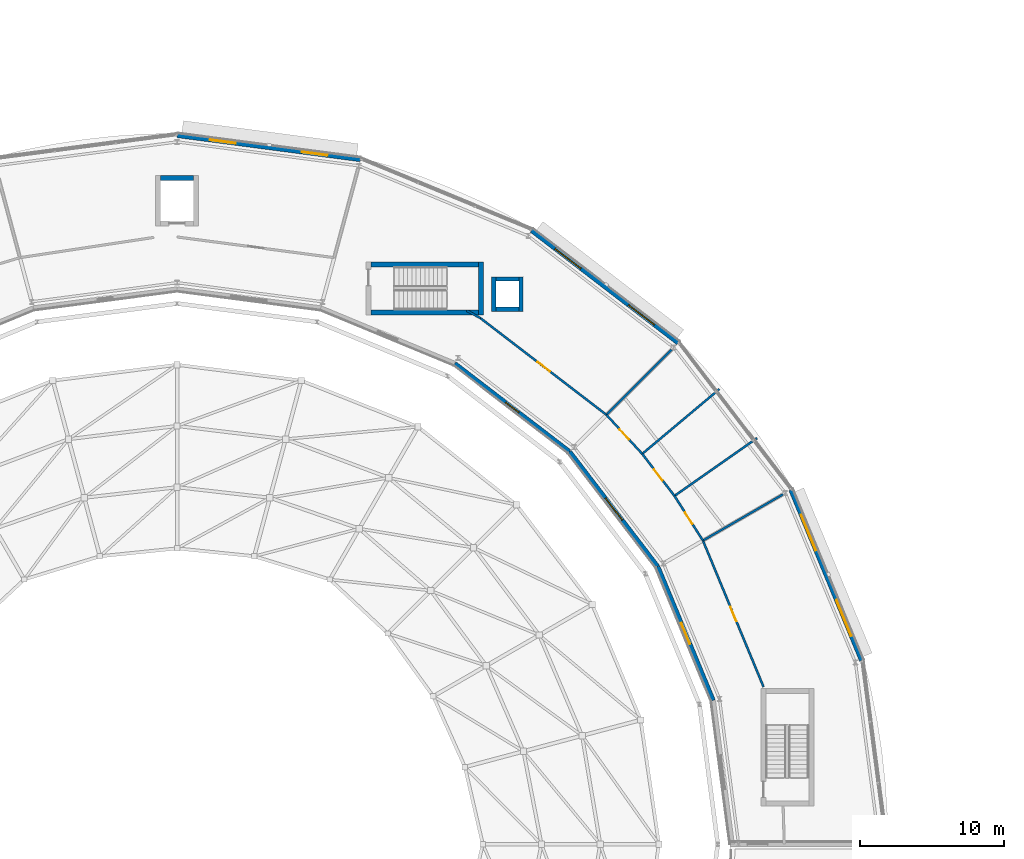
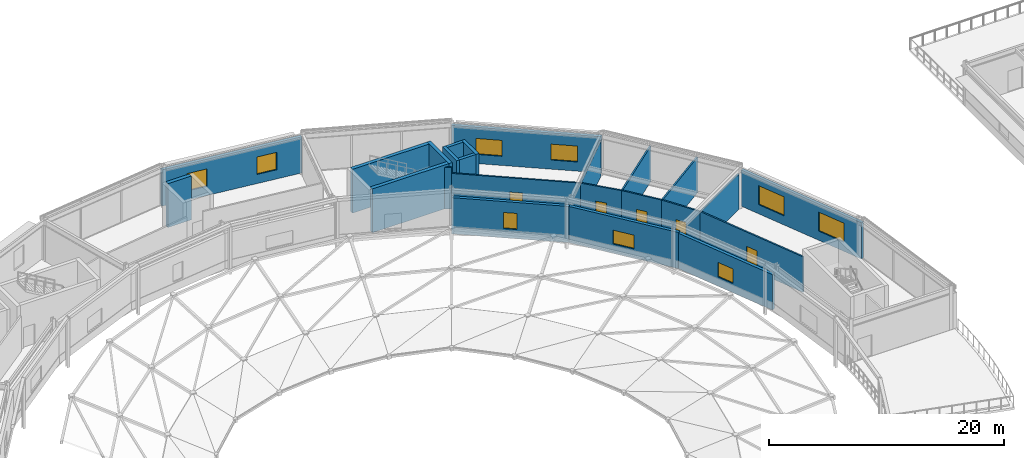
# One storey, part 65 of 89: 24 walls, 9 windows, 5 doors, 14 openings.
"""IFC4 building model written with IfcOpenShell, lengths in metres."""

from ifc_helpers import new_model, si_unit, direction, frame, frame_2d, origin, place, context, subcontext, project, spatial, rectangle, extrude, material, layer, layer_set, type_object, element, fill, save


model = new_model("IFC4")

# Units and contexts
model_context = context("Model", 3, precision=1e-05, world=origin(), true_north=direction((0.0, 1.0)))
body_context = subcontext(model_context, "Body", "Model", "MODEL_VIEW")
ifc_project = project(units=[si_unit("LENGTHUNIT", "METRE"), si_unit("AREAUNIT", "SQUARE_METRE"), si_unit("VOLUMEUNIT", "CUBIC_METRE"), si_unit("PLANEANGLEUNIT", "RADIAN"), si_unit("MASSUNIT", "GRAM", prefix="KILO")], contexts=[model_context])

# Site, building, storey
site_placement = place(None, origin())
site = spatial("IfcSite", under=ifc_project, at=site_placement, CompositionType="ELEMENT")
building_placement = place(site_placement, origin())
building = spatial("IfcBuilding", under=site, at=building_placement, Name="Almandine Court Research Institute", CompositionType="ELEMENT")
storey_placement = place(building_placement, frame((0.0, 0.0, 18.89990234375)))
storey = spatial("IfcBuildingStorey", under=building, at=storey_placement, Name="L04", CompositionType="ELEMENT", Elevation=18.89990234375)

# Wall, openings, windows
ifc_material_1 = material(Name="Insulated Ochre Terracotta Rainscreen Wall", Category="masonry")
ifc_layer_1 = layer(ifc_material_1, 0.2900390625)
ifc_layer_set_1 = layer_set([ifc_layer_1], Name="Insulated Ochre Terracotta Rainscreen Wall")
wall_type_1 = type_object("IfcWallType", Name="Wall-EXT-TERR-290", PredefinedType="SOLIDWALL", material=ifc_layer_set_1)
wall_1_placement = place(storey_placement, frame((129.73193359375, 80.6650390625, 0.0), z_axis=(0.0, 0.0, 1.0), x_axis=(0.382709793584, -0.923868612896, 0.0)))
wall_1 = element("IfcWall", 1, at=wall_1_placement, inside=storey, type_object=wall_type_1, Name="L04 Drum Outer Facade Wall 01", PredefinedType="SOLIDWALL", context=body_context, shape_type="SweptSolid", body=[
    extrude(rectangle(XDim=12.868896484375, YDim=0.2900390625, at=frame_2d((6.4345703125, 0.0))), origin(), (0.0, 0.0, 1.0), 3.754150390625),
])
opening_1_placement = place(wall_1_placement, frame((1.866943359375, 0.0, 0.949951171875)))
opening_1 = element("IfcOpeningElement", 2, at=opening_1_placement, cuts=wall_1, Name="Opening WN-54", PredefinedType="OPENING", context=body_context, shape_type="SweptSolid", body=[
    extrude(rectangle(XDim=2.699951171875, YDim=1.969970703125, at=frame_2d((1.35009765625, 0.98486328125))), frame((0.0, 0.155029296875, 0.0), z_axis=(0.0, -1.0, 0.0), x_axis=(1.0, 0.0, 0.0)), (0.0, 0.0, 1.0), 0.31005859375),
])
opening_2_placement = place(wall_1_placement, frame((8.302001953125, 0.0, 0.949951171875)))
opening_2 = element("IfcOpeningElement", 3, at=opening_2_placement, cuts=wall_1, Name="Opening WN-54", PredefinedType="OPENING", context=body_context, shape_type="SweptSolid", body=[
    extrude(rectangle(XDim=2.699951171875, YDim=1.969970703125, at=frame_2d((1.35009765625, 0.98486328125))), frame((0.0, 0.155029296875, 0.0), z_axis=(0.0, -1.0, 0.0), x_axis=(1.0, 0.0, 0.0)), (0.0, 0.0, 1.0), 0.31005859375),
])
ifc_material_2 = material(Name="Thermally Broken Low-E Double-Glazed Window", Category="glass")
window_type_1 = type_object("IfcWindowType", Name="Win-WN-54-2700x1970", PartitioningType="SINGLE_PANEL", PredefinedType="WINDOW", material=ifc_material_2)
window_1_placement = place(opening_1_placement, origin())
window_1 = element("IfcWindow", 4, at=window_1_placement, inside=storey, type_object=window_type_1, Name="L04 Modular Recessed Low-E Window 291", OverallHeight=1.969970703125, OverallWidth=2.699951171875, PartitioningType="SINGLE_PANEL", PredefinedType="WINDOW", context=body_context, shape_type="SweptSolid", body=[
    extrude(rectangle(XDim=2.699951171875, YDim=1.969970703125, at=frame_2d((1.35009765625, 0.98486328125))), frame((0.0, 0.030029296875, 0.0), z_axis=(0.0, -1.0, 0.0), x_axis=(1.0, 0.0, 0.0)), (0.0, 0.0, 1.0), 0.06005859375),
])
fill(opening_1, window_1)
window_2_placement = place(opening_2_placement, origin())
window_2 = element("IfcWindow", 5, at=window_2_placement, inside=storey, type_object=window_type_1, Name="L04 Modular Recessed Low-E Window 292", OverallHeight=1.969970703125, OverallWidth=2.699951171875, PartitioningType="SINGLE_PANEL", PredefinedType="WINDOW", context=body_context, shape_type="SweptSolid", body=[
    extrude(rectangle(XDim=2.699951171875, YDim=1.969970703125, at=frame_2d((1.35009765625, 0.98486328125))), frame((0.0, 0.030029296875, 0.0), z_axis=(0.0, -1.0, 0.0), x_axis=(1.0, 0.0, 0.0)), (0.0, 0.0, 1.0), 0.06005859375),
])
fill(opening_2, window_2)

# Wall, opening, window
wall_2_placement = place(storey_placement, frame((124.341064453125, 66.011962890625, 0.0), z_axis=(0.0, 0.0, 1.0), x_axis=(-0.382733240508, 0.92385889973, 0.0)))
wall_2 = element("IfcWall", 6, at=wall_2_placement, inside=storey, type_object=wall_type_1, Name="L04 Drum Inner Gallery Wall 01", PredefinedType="SOLIDWALL", context=body_context, shape_type="SweptSolid", body=[
    extrude(rectangle(XDim=10.08056640625, YDim=0.2900390625, at=frame_2d((5.040283203125, 0.0))), origin(), (0.0, 0.0, 1.0), 3.672119140625),
])
opening_3_placement = place(wall_2_placement, frame((4.239990234375, 0.0, 0.949951171875)))
opening_3 = element("IfcOpeningElement", 7, at=opening_3_placement, cuts=wall_2, Name="Opening WN-117", PredefinedType="OPENING", context=body_context, shape_type="SweptSolid", body=[
    extrude(rectangle(XDim=1.60009765625, YDim=1.510009765625, at=frame_2d((0.800048828125, 0.7548828125))), frame((0.0, 0.155029296875, 0.0), z_axis=(0.0, -1.0, 0.0), x_axis=(1.0, 0.0, 0.0)), (0.0, 0.0, 1.0), 0.31005859375),
])
window_type_2 = type_object("IfcWindowType", Name="Win-WN-117-1600x1510", PartitioningType="SINGLE_PANEL", PredefinedType="WINDOW", material=ifc_material_2)
window_3_placement = place(opening_3_placement, origin())
window_3 = element("IfcWindow", 8, at=window_3_placement, inside=storey, type_object=window_type_2, Name="L04 Modular Recessed Low-E Window 293", OverallHeight=1.510009765625, OverallWidth=1.60009765625, PartitioningType="SINGLE_PANEL", PredefinedType="WINDOW", context=body_context, shape_type="SweptSolid", body=[
    extrude(rectangle(XDim=1.60009765625, YDim=1.510009765625, at=frame_2d((0.800048828125, 0.7548828125))), frame((0.0, 0.030029296875, 0.0), z_axis=(0.0, -1.0, 0.0), x_axis=(1.0, 0.0, 0.0)), (0.0, 0.0, 1.0), 0.06005859375),
])
fill(opening_3, window_3)

wall_3_placement = place(storey_placement, frame((120.47705078125, 75.3349609375, 0.0), z_axis=(0.0, 0.0, 1.0), x_axis=(-0.608737604027, 0.793371621275, 0.0)))
wall_3 = element("IfcWall", 9, at=wall_3_placement, inside=storey, type_object=wall_type_1, Name="L04 Drum Inner Gallery Wall 02", PredefinedType="SOLIDWALL", context=body_context, shape_type="SweptSolid", body=[
    extrude(rectangle(XDim=10.079833984375, YDim=0.2900390625, at=frame_2d((5.0400390625, 0.0))), origin(), (0.0, 0.0, 1.0), 3.754150390625),
])
opening_4_placement = place(wall_3_placement, frame((4.074951171875, 0.0, 0.949951171875)))
opening_4 = element("IfcOpeningElement", 10, at=opening_4_placement, cuts=wall_3, Name="Opening WN-118", PredefinedType="OPENING", context=body_context, shape_type="SweptSolid", body=[
    extrude(rectangle(XDim=1.929931640625, YDim=1.429931640625, at=frame_2d((0.96484375, 0.71484375))), frame((0.0, 0.155029296875, 0.0), z_axis=(0.0, -1.0, 0.0), x_axis=(1.0, 0.0, 0.0)), (0.0, 0.0, 1.0), 0.31005859375),
])
window_type_3 = type_object("IfcWindowType", Name="Win-WN-118-1930x1430", PartitioningType="SINGLE_PANEL", PredefinedType="WINDOW", material=ifc_material_2)
window_4_placement = place(opening_4_placement, origin())
window_4 = element("IfcWindow", 11, at=window_4_placement, inside=storey, type_object=window_type_3, Name="L04 Modular Recessed Low-E Window 294", OverallHeight=1.429931640625, OverallWidth=1.929931640625, PartitioningType="SINGLE_PANEL", PredefinedType="WINDOW", context=body_context, shape_type="SweptSolid", body=[
    extrude(rectangle(XDim=1.929931640625, YDim=1.429931640625, at=frame_2d((0.96484375, 0.71484375))), frame((0.0, 0.030029296875, 0.0), z_axis=(0.0, -1.0, 0.0), x_axis=(1.0, 0.0, 0.0)), (0.0, 0.0, 1.0), 0.06005859375),
])
fill(opening_4, window_4)

# Wall, openings, windows
wall_4_placement = place(storey_placement, frame((111.675048828125, 98.72607421875, 0.0), z_axis=(0.0, 0.0, 1.0), x_axis=(0.79334001117, -0.608778799465, 0.0)))
wall_4 = element("IfcWall", 12, at=wall_4_placement, inside=storey, type_object=wall_type_1, Name="L04 Drum Outer Facade Wall 03", PredefinedType="SOLIDWALL", context=body_context, shape_type="SweptSolid", body=[
    extrude(rectangle(XDim=12.868408203125, YDim=0.2900390625, at=frame_2d((6.43408203125, 0.0))), origin(), (0.0, 0.0, 1.0), 3.754150390625),
])
opening_5_placement = place(wall_4_placement, frame((2.0869140625, 0.0, 0.949951171875)))
opening_5 = element("IfcOpeningElement", 13, at=opening_5_placement, cuts=wall_4, Name="Opening WN-58", PredefinedType="OPENING", context=body_context, shape_type="SweptSolid", body=[
    extrude(rectangle(XDim=2.260009765625, YDim=1.64990234375, at=frame_2d((1.1298828125, 0.824951171875))), frame((0.0, 0.155029296875, 0.0), z_axis=(0.0, -1.0, 0.0), x_axis=(1.0, 0.0, 0.0)), (0.0, 0.0, 1.0), 0.31005859375),
])
opening_6_placement = place(wall_4_placement, frame((8.52099609375, 0.0, 0.949951171875)))
opening_6 = element("IfcOpeningElement", 14, at=opening_6_placement, cuts=wall_4, Name="Opening WN-58", PredefinedType="OPENING", context=body_context, shape_type="SweptSolid", body=[
    extrude(rectangle(XDim=2.260009765625, YDim=1.64990234375, at=frame_2d((1.1298828125, 0.824951171875))), frame((0.0, 0.155029296875, 0.0), z_axis=(0.0, -1.0, 0.0), x_axis=(1.0, 0.0, 0.0)), (0.0, 0.0, 1.0), 0.31005859375),
])
window_type_4 = type_object("IfcWindowType", Name="Win-WN-58-2260x1650", PartitioningType="SINGLE_PANEL", PredefinedType="WINDOW", material=ifc_material_2)
window_5_placement = place(opening_5_placement, origin())
window_5 = element("IfcWindow", 15, at=window_5_placement, inside=storey, type_object=window_type_4, Name="L04 Modular Recessed Low-E Window 295", OverallHeight=1.64990234375, OverallWidth=2.260009765625, PartitioningType="SINGLE_PANEL", PredefinedType="WINDOW", context=body_context, shape_type="SweptSolid", body=[
    extrude(rectangle(XDim=2.260009765625, YDim=1.64990234375, at=frame_2d((1.1298828125, 0.824951171875))), frame((0.0, 0.030029296875, 0.0), z_axis=(0.0, -1.0, 0.0), x_axis=(1.0, 0.0, 0.0)), (0.0, 0.0, 1.0), 0.06005859375),
])
fill(opening_5, window_5)
window_6_placement = place(opening_6_placement, origin())
window_6 = element("IfcWindow", 16, at=window_6_placement, inside=storey, type_object=window_type_4, Name="L04 Modular Recessed Low-E Window 296", OverallHeight=1.64990234375, OverallWidth=2.260009765625, PartitioningType="SINGLE_PANEL", PredefinedType="WINDOW", context=body_context, shape_type="SweptSolid", body=[
    extrude(rectangle(XDim=2.260009765625, YDim=1.64990234375, at=frame_2d((1.1298828125, 0.824951171875))), frame((0.0, 0.030029296875, 0.0), z_axis=(0.0, -1.0, 0.0), x_axis=(1.0, 0.0, 0.0)), (0.0, 0.0, 1.0), 0.06005859375),
])
fill(opening_6, window_6)

# Wall, opening, window
wall_5_placement = place(storey_placement, frame((114.33203125, 83.341064453125, 0.0), z_axis=(0.0, 0.0, 1.0), x_axis=(-0.793371621275, 0.608737604027, 0.0)))
wall_5 = element("IfcWall", 17, at=wall_5_placement, inside=storey, type_object=wall_type_1, Name="L04 Drum Inner Gallery Wall 03", PredefinedType="SOLIDWALL", context=body_context, shape_type="SweptSolid", body=[
    extrude(rectangle(XDim=10.079833984375, YDim=0.2900390625, at=frame_2d((5.0400390625, 0.0))), origin(), (0.0, 0.0, 1.0), 3.754150390625),
])
opening_7_placement = place(wall_5_placement, frame((4.4599609375, 0.0, 0.949951171875)))
opening_7 = element("IfcOpeningElement", 18, at=opening_7_placement, cuts=wall_5, Name="Opening WN-107", PredefinedType="OPENING", context=body_context, shape_type="SweptSolid", body=[
    extrude(rectangle(XDim=1.159912109375, YDim=1.669921875, at=frame_2d((0.580078125, 0.8349609375))), frame((0.0, 0.155029296875, 0.0), z_axis=(0.0, -1.0, 0.0), x_axis=(1.0, 0.0, 0.0)), (0.0, 0.0, 1.0), 0.31005859375),
])
window_type_5 = type_object("IfcWindowType", Name="Win-WN-107-1160x1670", PartitioningType="SINGLE_PANEL", PredefinedType="WINDOW", material=ifc_material_2)
window_7_placement = place(opening_7_placement, origin())
window_7 = element("IfcWindow", 19, at=window_7_placement, inside=storey, type_object=window_type_5, Name="L04 Modular Recessed Low-E Window 297", OverallHeight=1.669921875, OverallWidth=1.159912109375, PartitioningType="SINGLE_PANEL", PredefinedType="WINDOW", context=body_context, shape_type="SweptSolid", body=[
    extrude(rectangle(XDim=1.159912109375, YDim=1.669921875, at=frame_2d((0.580078125, 0.8349609375))), frame((0.0, 0.030029296875, 0.0), z_axis=(0.0, -1.0, 0.0), x_axis=(1.0, 0.0, 0.0)), (0.0, 0.0, 1.0), 0.06005859375),
])
fill(opening_7, window_7)

# Wall, openings, windows
wall_6_placement = place(storey_placement, frame((87.006103515625, 105.339111328125, 0.0), z_axis=(0.0, 0.0, 1.0), x_axis=(0.991448870161, -0.130495738843, 0.0)))
wall_6 = element("IfcWall", 20, at=wall_6_placement, inside=storey, type_object=wall_type_1, Name="L04 Drum Outer Facade Wall 05", PredefinedType="SOLIDWALL", context=body_context, shape_type="SweptSolid", body=[
    extrude(rectangle(XDim=12.867919921875, YDim=0.2900390625, at=frame_2d((6.43408203125, 0.0))), origin(), (0.0, 0.0, 1.0), 3.754150390625),
])
opening_8_placement = place(wall_6_placement, frame((2.306884765625, 0.0, 0.949951171875)))
opening_8 = element("IfcOpeningElement", 21, at=opening_8_placement, cuts=wall_6, Name="Opening WN-125", PredefinedType="OPENING", context=body_context, shape_type="SweptSolid", body=[
    extrude(rectangle(XDim=1.820068359375, YDim=1.81005859375, at=frame_2d((0.91015625, 0.905029296875))), frame((0.0, 0.155029296875, 0.0), z_axis=(0.0, -1.0, 0.0), x_axis=(1.0, 0.0, 0.0)), (0.0, 0.0, 1.0), 0.31005859375),
])
opening_9_placement = place(wall_6_placement, frame((8.740966796875, 0.0, 0.949951171875)))
opening_9 = element("IfcOpeningElement", 22, at=opening_9_placement, cuts=wall_6, Name="Opening WN-125", PredefinedType="OPENING", context=body_context, shape_type="SweptSolid", body=[
    extrude(rectangle(XDim=1.820068359375, YDim=1.81005859375, at=frame_2d((0.91015625, 0.905029296875))), frame((0.0, 0.155029296875, 0.0), z_axis=(0.0, -1.0, 0.0), x_axis=(1.0, 0.0, 0.0)), (0.0, 0.0, 1.0), 0.31005859375),
])
window_type_6 = type_object("IfcWindowType", Name="Win-WN-125-1820x1810", PartitioningType="SINGLE_PANEL", PredefinedType="WINDOW", material=ifc_material_2)
window_8_placement = place(opening_8_placement, origin())
window_8 = element("IfcWindow", 23, at=window_8_placement, inside=storey, type_object=window_type_6, Name="L04 Modular Recessed Low-E Window 299", OverallHeight=1.81005859375, OverallWidth=1.820068359375, PartitioningType="SINGLE_PANEL", PredefinedType="WINDOW", context=body_context, shape_type="SweptSolid", body=[
    extrude(rectangle(XDim=1.820068359375, YDim=1.81005859375, at=frame_2d((0.91015625, 0.905029296875))), frame((0.0, 0.030029296875, 0.0), z_axis=(0.0, -1.0, 0.0), x_axis=(1.0, 0.0, 0.0)), (0.0, 0.0, 1.0), 0.06005859375),
])
fill(opening_8, window_8)
window_9_placement = place(opening_9_placement, origin())
window_9 = element("IfcWindow", 24, at=window_9_placement, inside=storey, type_object=window_type_6, Name="L04 Modular Recessed Low-E Window 300", OverallHeight=1.81005859375, OverallWidth=1.820068359375, PartitioningType="SINGLE_PANEL", PredefinedType="WINDOW", context=body_context, shape_type="SweptSolid", body=[
    extrude(rectangle(XDim=1.820068359375, YDim=1.81005859375, at=frame_2d((0.91015625, 0.905029296875))), frame((0.0, 0.030029296875, 0.0), z_axis=(0.0, -1.0, 0.0), x_axis=(1.0, 0.0, 0.0)), (0.0, 0.0, 1.0), 0.06005859375),
])
fill(opening_9, window_9)

# Wall, opening, door
ifc_material_3 = material(Name="Acoustic Steel-Stud Gypsum Partition Wall", Category="steel")
ifc_layer_2 = layer(ifc_material_3, 0.14990234375)
ifc_layer_set_2 = layer_set([ifc_layer_2], Name="Acoustic Steel-Stud Gypsum Partition Wall")
wall_type_2 = type_object("IfcWallType", Name="Wall-PART-150", PredefinedType="PARTITIONING", material=ifc_layer_set_2)
wall_7_placement = place(storey_placement, frame((123.615966796875, 77.139892578125, 0.0), z_axis=(0.0, 0.0, 1.0), x_axis=(-0.537290836095, 0.843397034289, 0.0)))
wall_7 = element("IfcWall", 25, at=wall_7_placement, inside=storey, type_object=wall_type_2, Name="L04 Interior Partition W-V5-L04-WC-1", PredefinedType="PARTITIONING", context=body_context, shape_type="SweptSolid", body=[
    extrude(rectangle(XDim=3.688720703125, YDim=0.14990234375, at=frame_2d((1.84423828125, 0.0))), origin(), (0.0, 0.0, 1.0), 3.676025390625),
])
opening_10_placement = place(wall_7_placement, frame((1.368896484375, 0.0, 0.0)))
opening_10 = element("IfcOpeningElement", 26, at=opening_10_placement, cuts=wall_7, Name="Opening D-01", PredefinedType="OPENING", context=body_context, shape_type="SweptSolid", body=[
    extrude(rectangle(XDim=0.949951171875, YDim=2.10009765625, at=frame_2d((0.47509765625, 1.050048828125))), frame((0.0, 0.0849609375, 0.0), z_axis=(0.0, -1.0, 0.0), x_axis=(1.0, 0.0, 0.0)), (0.0, 0.0, 1.0), 0.169921875),
])
ifc_material_4 = material(Name="Solid-Core Timber Acoustic Room Door", Category="wood")
door_type_1 = type_object("IfcDoorType", Name="Door-INT-950", OperationType="NOTDEFINED", PredefinedType="DOOR", material=ifc_material_4)
door_1_placement = place(opening_10_placement, origin())
door_1 = element("IfcDoor", 27, at=door_1_placement, inside=storey, type_object=door_type_1, Name="L04 Drum Male Toilet Door", OperationType="SINGLE_SWING_RIGHT", OverallHeight=2.10009765625, OverallWidth=0.949951171875, PredefinedType="DOOR", context=body_context, shape_type="SweptSolid", body=[
    extrude(rectangle(XDim=0.949951171875, YDim=2.10009765625, at=frame_2d((0.47509765625, 1.050048828125))), frame((0.0, 0.02490234375, 0.0), z_axis=(0.0, -1.0, 0.0), x_axis=(1.0, 0.0, 0.0)), (0.0, 0.0, 1.0), 0.050048828125),
])
fill(opening_10, door_1)

wall_8_placement = place(storey_placement, frame((121.634033203125, 80.2509765625, 0.0), z_axis=(0.0, 0.0, 1.0), x_axis=(-0.608910806106, 0.793238696867, 0.0)))
wall_8 = element("IfcWall", 28, at=wall_8_placement, inside=storey, type_object=wall_type_2, Name="L04 Interior Partition W-V5-L04-WC-2", PredefinedType="PARTITIONING", context=body_context, shape_type="SweptSolid", body=[
    extrude(rectangle(XDim=3.688720703125, YDim=0.14990234375, at=frame_2d((1.84423828125, 0.0))), origin(), (0.0, 0.0, 1.0), 3.676025390625),
])
opening_11_placement = place(wall_8_placement, frame((1.368896484375, 0.0, 0.0)))
opening_11 = element("IfcOpeningElement", 29, at=opening_11_placement, cuts=wall_8, Name="Opening D-01", PredefinedType="OPENING", context=body_context, shape_type="SweptSolid", body=[
    extrude(rectangle(XDim=0.949951171875, YDim=2.10009765625, at=frame_2d((0.47509765625, 1.050048828125))), frame((0.0, 0.0849609375, 0.0), z_axis=(0.0, -1.0, 0.0), x_axis=(1.0, 0.0, 0.0)), (0.0, 0.0, 1.0), 0.169921875),
])
door_2_placement = place(opening_11_placement, origin())
door_2 = element("IfcDoor", 30, at=door_2_placement, inside=storey, type_object=door_type_1, Name="L04 Drum Female Toilet Door", OperationType="SINGLE_SWING_LEFT", OverallHeight=2.10009765625, OverallWidth=0.949951171875, PredefinedType="DOOR", context=body_context, shape_type="SweptSolid", body=[
    extrude(rectangle(XDim=0.949951171875, YDim=2.10009765625, at=frame_2d((0.47509765625, 1.050048828125))), frame((0.0, 0.02490234375, 0.0), z_axis=(0.0, -1.0, 0.0), x_axis=(1.0, 0.0, 0.0)), (0.0, 0.0, 1.0), 0.050048828125),
])
fill(opening_11, door_2)

wall_9_placement = place(storey_placement, frame((119.387939453125, 83.177001953125, 0.0), z_axis=(0.0, 0.0, 1.0), x_axis=(-0.675655682507, 0.737217334778, 0.0)))
wall_9 = element("IfcWall", 31, at=wall_9_placement, inside=storey, type_object=wall_type_2, Name="L04 Interior Partition W-V5-L04-WC-3", PredefinedType="PARTITIONING", context=body_context, shape_type="SweptSolid", body=[
    extrude(rectangle(XDim=3.688232421875, YDim=0.14990234375, at=frame_2d((1.84423828125, 0.0))), origin(), (0.0, 0.0, 1.0), 3.676025390625),
])
opening_12_placement = place(wall_9_placement, frame((1.368896484375, 0.0, 0.0)))
opening_12 = element("IfcOpeningElement", 32, at=opening_12_placement, cuts=wall_9, Name="Opening D-01", PredefinedType="OPENING", context=body_context, shape_type="SweptSolid", body=[
    extrude(rectangle(XDim=0.949951171875, YDim=2.10009765625, at=frame_2d((0.47509765625, 1.050048828125))), frame((0.0, 0.0849609375, 0.0), z_axis=(0.0, -1.0, 0.0), x_axis=(1.0, 0.0, 0.0)), (0.0, 0.0, 1.0), 0.169921875),
])
door_3_placement = place(opening_12_placement, origin())
door_3 = element("IfcDoor", 33, at=door_3_placement, inside=storey, type_object=door_type_1, Name="L04 Drum Accessible WC Door", OperationType="SINGLE_SWING_RIGHT", OverallHeight=2.10009765625, OverallWidth=0.949951171875, PredefinedType="DOOR", context=body_context, shape_type="SweptSolid", body=[
    extrude(rectangle(XDim=0.949951171875, YDim=2.10009765625, at=frame_2d((0.47509765625, 1.050048828125))), frame((0.0, 0.02490234375, 0.0), z_axis=(0.0, -1.0, 0.0), x_axis=(1.0, 0.0, 0.0)), (0.0, 0.0, 1.0), 0.050048828125),
])
fill(opening_12, door_3)

# Walls
wall_10_placement = place(storey_placement, frame((123.615966796875, 77.139892578125, 0.0), z_axis=(0.0, 0.0, 1.0), x_axis=(0.866008816382, 0.500028729123, 0.0)))
element("IfcWall", 34, at=wall_10_placement, inside=storey, type_object=wall_type_2, Name="L04 Interior Partition W-V5-L04-WCRAD-1", PredefinedType="PARTITIONING", context=body_context, shape_type="SweptSolid", body=[
    extrude(rectangle(XDim=6.43994140625, YDim=0.14990234375, at=frame_2d((3.219970703125, 0.0))), origin(), (0.0, 0.0, 1.0), 3.676025390625),
])
wall_11_placement = place(storey_placement, frame((121.634033203125, 80.2509765625, 0.0), z_axis=(0.0, 0.0, 1.0), x_axis=(0.819156749665, 0.573569716318, 0.0)))
element("IfcWall", 35, at=wall_11_placement, inside=storey, type_object=wall_type_2, Name="L04 Interior Partition W-V5-L04-WCRAD-2", PredefinedType="PARTITIONING", context=body_context, shape_type="SweptSolid", body=[
    extrude(rectangle(XDim=7.01953125, YDim=0.14990234375, at=frame_2d((3.509765625, 0.0))), origin(), (0.0, 0.0, 1.0), 3.676025390625),
])
wall_12_placement = place(storey_placement, frame((119.387939453125, 83.177001953125, 0.0), z_axis=(0.0, 0.0, 1.0), x_axis=(0.766104816456, 0.642715652682, 0.0)))
element("IfcWall", 36, at=wall_12_placement, inside=storey, type_object=wall_type_2, Name="L04 Interior Partition W-V5-L04-WCRAD-3", PredefinedType="PARTITIONING", context=body_context, shape_type="SweptSolid", body=[
    extrude(rectangle(XDim=7.020263671875, YDim=0.14990234375, at=frame_2d((3.51025390625, 0.0))), origin(), (0.0, 0.0, 1.0), 3.676025390625),
])
wall_13_placement = place(storey_placement, frame((116.89599609375, 85.89599609375, 0.0), z_axis=(0.0, 0.0, 1.0), x_axis=(0.707106781187, 0.707106781187, 0.0)))
element("IfcWall", 37, at=wall_13_placement, inside=storey, type_object=wall_type_2, Name="L04 Interior Partition W-V5-L04-WCRAD-4", PredefinedType="PARTITIONING", context=body_context, shape_type="SweptSolid", body=[
    extrude(rectangle(XDim=6.440185546875, YDim=0.14990234375, at=frame_2d((3.22021484375, 0.0))), origin(), (0.0, 0.0, 1.0), 3.676025390625),
])

# Wall, opening, door
wall_14_placement = place(storey_placement, frame((127.839111328125, 66.943115234375, 0.0), z_axis=(0.0, 0.0, 1.0), x_axis=(-0.382644845446, 0.923895514793, 0.0)))
wall_14 = element("IfcWall", 38, at=wall_14_placement, inside=storey, type_object=wall_type_2, Name="L04 Interior Partition W-V5-L04-CHD-01", PredefinedType="PARTITIONING", context=body_context, shape_type="SweptSolid", body=[
    extrude(rectangle(XDim=11.03662109375, YDim=0.14990234375, at=frame_2d((5.518310546875, 0.0))), origin(), (0.0, 0.0, 1.0), 3.676025390625),
])
opening_13_placement = place(wall_14_placement, frame((4.949951171875, 0.0, 0.0)))
opening_13 = element("IfcOpeningElement", 39, at=opening_13_placement, cuts=wall_14, Name="Opening D-03", PredefinedType="OPENING", context=body_context, shape_type="SweptSolid", body=[
    extrude(rectangle(XDim=1.10009765625, YDim=2.199951171875, at=frame_2d((0.550048828125, 1.10009765625))), frame((0.0, 0.0849609375, 0.0), z_axis=(0.0, -1.0, 0.0), x_axis=(1.0, 0.0, 0.0)), (0.0, 0.0, 1.0), 0.169921875),
])
ifc_material_5 = material(Name="Acoustic Vision-Panel Seminar Door")
door_type_2 = type_object("IfcDoorType", Name="Door-INT-1100", OperationType="NOTDEFINED", PredefinedType="DOOR", material=ifc_material_5)
door_4_placement = place(opening_13_placement, origin())
door_4 = element("IfcDoor", 40, at=door_4_placement, inside=storey, type_object=door_type_2, Name="L04 Drum Instrument Room Door", OperationType="SINGLE_SWING_LEFT", OverallHeight=2.199951171875, OverallWidth=1.10009765625, PredefinedType="DOOR", context=body_context, shape_type="SweptSolid", body=[
    extrude(rectangle(XDim=1.10009765625, YDim=2.199951171875, at=frame_2d((0.550048828125, 1.10009765625))), frame((0.0, 0.02490234375, 0.0), z_axis=(0.0, -1.0, 0.0), x_axis=(1.0, 0.0, 0.0)), (0.0, 0.0, 1.0), 0.050048828125),
])
fill(opening_13, door_4)

wall_15_placement = place(storey_placement, frame((116.89599609375, 85.89599609375, 0.0), z_axis=(0.0, 0.0, 1.0), x_axis=(-0.793301872689, 0.608828497024, 0.0)))
wall_15 = element("IfcWall", 41, at=wall_15_placement, inside=storey, type_object=wall_type_2, Name="L04 Interior Partition W-V5-L04-CHD-03", PredefinedType="PARTITIONING", context=body_context, shape_type="SweptSolid", body=[
    extrude(rectangle(XDim=11.03759765625, YDim=0.14990234375, at=frame_2d((5.518798828125, 0.0))), origin(), (0.0, 0.0, 1.0), 3.676025390625),
])
opening_14_placement = place(wall_15_placement, frame((4.949951171875, 0.0, 0.0)))
opening_14 = element("IfcOpeningElement", 42, at=opening_14_placement, cuts=wall_15, Name="Opening D-03", PredefinedType="OPENING", context=body_context, shape_type="SweptSolid", body=[
    extrude(rectangle(XDim=1.10009765625, YDim=2.199951171875, at=frame_2d((0.550048828125, 1.10009765625))), frame((0.0, 0.0849609375, 0.0), z_axis=(0.0, -1.0, 0.0), x_axis=(1.0, 0.0, 0.0)), (0.0, 0.0, 1.0), 0.169921875),
])
door_5_placement = place(opening_14_placement, origin())
door_5 = element("IfcDoor", 43, at=door_5_placement, inside=storey, type_object=door_type_2, Name="L04 Drum Reference Library Door", OperationType="SINGLE_SWING_RIGHT", OverallHeight=2.199951171875, OverallWidth=1.10009765625, PredefinedType="DOOR", context=body_context, shape_type="SweptSolid", body=[
    extrude(rectangle(XDim=1.10009765625, YDim=2.199951171875, at=frame_2d((0.550048828125, 1.10009765625))), frame((0.0, 0.02490234375, 0.0), z_axis=(0.0, -1.0, 0.0), x_axis=(1.0, 0.0, 0.0)), (0.0, 0.0, 1.0), 0.050048828125),
])
fill(opening_14, door_5)

# Walls
wall_16_placement = place(storey_placement, frame((108.139892578125, 92.615966796875, 0.0), z_axis=(0.0, 0.0, 1.0), x_axis=(-0.872821867213, 0.488038920697, 0.0)))
element("IfcWall", 44, at=wall_16_placement, inside=storey, type_object=wall_type_2, Name="L04 Interior Partition W-V5-L04-CHD-04", PredefinedType="PARTITIONING", context=body_context, shape_type="SweptSolid", body=[
    extrude(rectangle(XDim=1.1064453125, YDim=0.14990234375, at=frame_2d((0.55322265625, 0.0))), origin(), (0.0, 0.0, 1.0), 4.300048828125),
])
ifc_material_6 = material(Name="Concrete C40/50", Category="concrete")
ifc_layer_3 = layer(ifc_material_6, 0.300048828125)
ifc_layer_set_3 = layer_set([ifc_layer_3], Name="Concrete C40/50")
wall_type_3 = type_object("IfcWallType", Name="Wall-SW-CORE-300", PredefinedType="SHEAR", material=ifc_layer_set_3)
wall_17_placement = place(storey_placement, frame((109.050048828125, 93.10009765625, 0.0), z_axis=(0.0, 0.0, 1.0), x_axis=(0.0, 1.0, 0.0)))
element("IfcWall", 45, at=wall_17_placement, inside=storey, type_object=wall_type_3, Name="L04 MEP Riser RS-V5A W Shear Wall", PredefinedType="SHEAR", context=body_context, shape_type="SweptSolid", body=[
    extrude(rectangle(XDim=2.39990234375, YDim=0.300048828125, at=frame_2d((1.199951171875, 0.0))), origin(), (0.0, 0.0, 1.0), 4.3701171875),
])
wall_18_placement = place(storey_placement, frame((109.199951171875, 95.35009765625, 0.0), z_axis=(0.0, 0.0, 1.0), x_axis=(1.0, 0.0, 0.0)))
element("IfcWall", 46, at=wall_18_placement, inside=storey, type_object=wall_type_3, Name="L04 MEP Riser RS-V5A N Shear Wall", PredefinedType="SHEAR", context=body_context, shape_type="SweptSolid", body=[
    extrude(rectangle(XDim=1.60009765625, YDim=0.300048828125, at=frame_2d((0.800048828125, 0.0))), origin(), (0.0, 0.0, 1.0), 4.3701171875),
])
wall_19_placement = place(storey_placement, frame((110.949951171875, 95.5, 0.0), z_axis=(0.0, 0.0, 1.0), x_axis=(0.0, -1.0, 0.0)))
element("IfcWall", 47, at=wall_19_placement, inside=storey, type_object=wall_type_3, Name="L04 MEP Riser RS-V5A E Shear Wall", PredefinedType="SHEAR", context=body_context, shape_type="SweptSolid", body=[
    extrude(rectangle(XDim=2.39990234375, YDim=0.300048828125, at=frame_2d((1.199951171875, 0.0))), origin(), (0.0, 0.0, 1.0), 4.3701171875),
])
wall_20_placement = place(storey_placement, frame((110.800048828125, 93.25, 0.0), z_axis=(0.0, 0.0, 1.0), x_axis=(-1.0, 0.0, 0.0)))
element("IfcWall", 48, at=wall_20_placement, inside=storey, type_object=wall_type_3, Name="L04 MEP Riser RS-V5A S Shear Wall", PredefinedType="SHEAR", context=body_context, shape_type="SweptSolid", body=[
    extrude(rectangle(XDim=1.60009765625, YDim=0.300048828125, at=frame_2d((0.800048828125, 0.0))), origin(), (0.0, 0.0, 1.0), 4.3701171875),
])
ifc_layer_4 = layer(ifc_material_6, 0.35009765625)
ifc_layer_set_4 = layer_set([ifc_layer_4], Name="Concrete C40/50")
wall_type_4 = type_object("IfcWallType", Name="Wall-SW-CORE-350", PredefinedType="SHEAR", material=ifc_layer_set_4)
wall_21_placement = place(storey_placement, frame((100.5, 96.375, 0.0), z_axis=(0.0, 0.0, 1.0), x_axis=(1.0, 0.0, 0.0)))
element("IfcWall", 49, at=wall_21_placement, inside=storey, type_object=wall_type_4, Name="L04 ST-09 N Shear Wall", PredefinedType="SHEAR", context=body_context, shape_type="SweptSolid", body=[
    extrude(rectangle(XDim=7.5, YDim=0.35009765625, at=frame_2d((3.75, 0.0))), origin(), (0.0, 0.0, 1.0), 4.550048828125),
])
wall_22_placement = place(storey_placement, frame((108.175048828125, 96.550048828125, 0.0), z_axis=(0.0, 0.0, 1.0), x_axis=(0.0, -1.0, 0.0)))
element("IfcWall", 50, at=wall_22_placement, inside=storey, type_object=wall_type_4, Name="L04 ST-09 E Shear Wall", PredefinedType="SHEAR", context=body_context, shape_type="SweptSolid", body=[
    extrude(rectangle(XDim=3.699951171875, YDim=0.35009765625, at=frame_2d((1.85009765625, 0.0))), origin(), (0.0, 0.0, 1.0), 4.550048828125),
])
wall_23_placement = place(storey_placement, frame((108.0, 93.02490234375, 0.0), z_axis=(0.0, 0.0, 1.0), x_axis=(-1.0, 0.0, 0.0)))
element("IfcWall", 51, at=wall_23_placement, inside=storey, type_object=wall_type_4, Name="L04 ST-09 S Shear Wall", PredefinedType="SHEAR", context=body_context, shape_type="SweptSolid", body=[
    extrude(rectangle(XDim=7.5, YDim=0.35009765625, at=frame_2d((3.75, 0.0))), origin(), (0.0, 0.0, 1.0), 4.550048828125),
])
wall_24_placement = place(storey_placement, frame((85.85009765625, 102.375, 0.0), z_axis=(0.0, 0.0, 1.0), x_axis=(1.0, 0.0, 0.0)))
element("IfcWall", 52, at=wall_24_placement, inside=storey, type_object=wall_type_4, Name="L04 PL-04 Hoistway N Shear Wall", PredefinedType="SHEAR", context=body_context, shape_type="SweptSolid", body=[
    extrude(rectangle(XDim=2.2998046875, YDim=0.35009765625, at=frame_2d((1.14990234375, 0.0))), origin(), (0.0, 0.0, 1.0), 4.550048828125),
])

save(model, "model.ifc")
